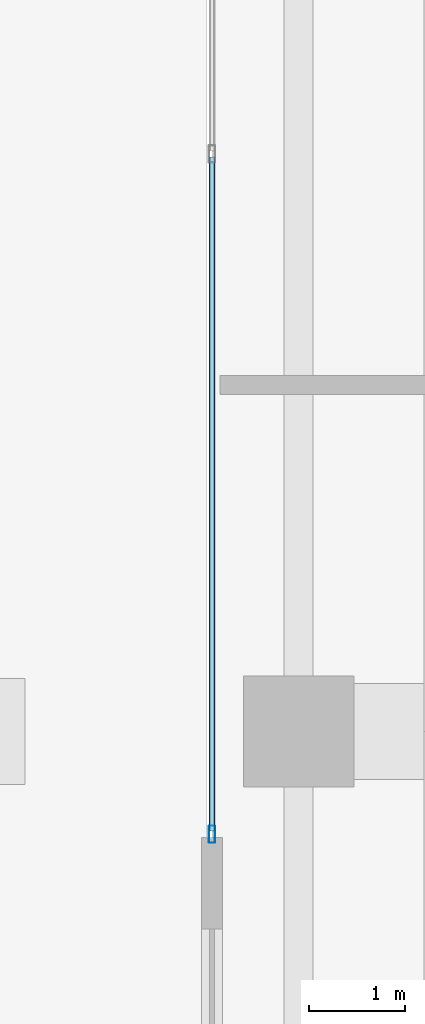
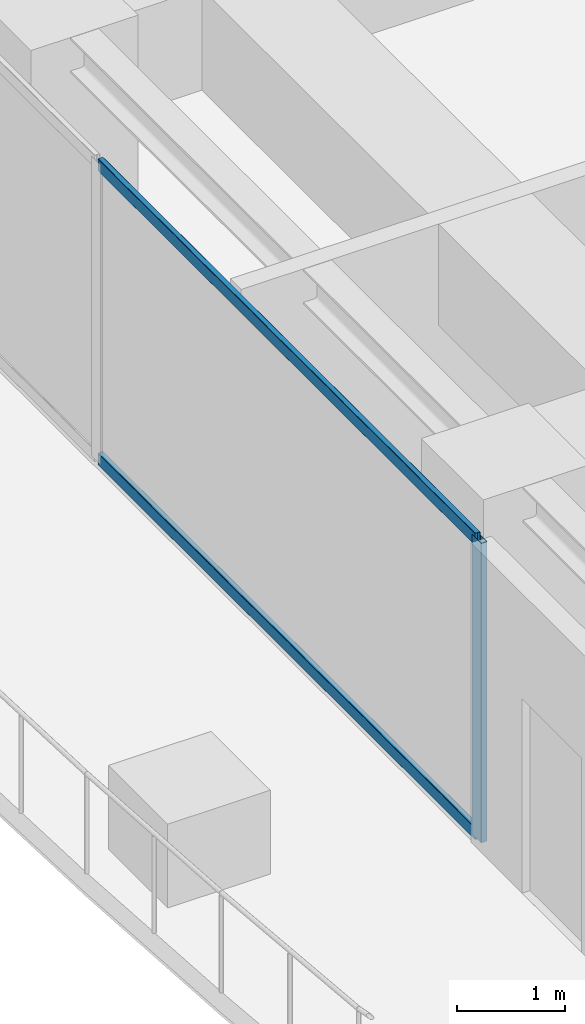
# One storey, part 9 of 39: 3 members, 1 element without a shape of its own.
"""IFC4 building model written with IfcOpenShell, lengths in metres."""

from ifc_helpers import new_model, si_unit, direction, frame, origin, origin_2d, place, context, subcontext, project, spatial, hollow_rectangle, extrude, source, transform, mapped, material, layer, layer_set, material_profile, profile_set, type_object, element, aggregate, save


model = new_model("IFC4")

# Units and contexts
model_context = context("Model", 3, precision=1e-05, world=origin(), true_north=direction((0.0, 1.0)))
body_context = subcontext(model_context, "Body", "Model", "MODEL_VIEW")
ifc_project = project(units=[si_unit("LENGTHUNIT", "METRE"), si_unit("AREAUNIT", "SQUARE_METRE"), si_unit("VOLUMEUNIT", "CUBIC_METRE"), si_unit("PLANEANGLEUNIT", "RADIAN"), si_unit("MASSUNIT", "GRAM", prefix="KILO")], contexts=[model_context])

# Site, building, storey
site_placement = place(None, origin())
site = spatial("IfcSite", under=ifc_project, at=site_placement, CompositionType="ELEMENT")
building_placement = place(site_placement, origin())
building = spatial("IfcBuilding", under=site, at=building_placement, Name="Serunith Strait Residences", CompositionType="ELEMENT")
storey_placement = place(building_placement, frame((0.0, 0.0, 283.60009765625)))
storey = spatial("IfcBuildingStorey", under=building, at=storey_placement, Name="L71", CompositionType="ELEMENT", Elevation=283.60009765625)

# Curtain wall, members
ifc_material = material(Name="Pale-Champagne Anodised Aluminium", Category="aluminium")
ifc_layer = layer(ifc_material, 0.199951171875, Name="Pale-Champagne Anodised Aluminium")
ifc_layer_set = layer_set([ifc_layer], Name="Pale-Champagne Anodised Aluminium")
curtain_wall_type = type_object("IfcCurtainWallType", Name="CW-SYS4", PredefinedType="NOTDEFINED", material=ifc_layer_set)
curtain_wall_placement = place(storey_placement, origin())
curtain_wall = element("IfcCurtainWall", 1, at=curtain_wall_placement, inside=storey, type_object=curtain_wall_type, Name="L71 W Unitised Fritted Curtain Wall", PredefinedType="NOTDEFINED")
ifc_material_profile_1 = material_profile(ifc_material, hollow_rectangle(XDim=0.06005859375, YDim=0.139892578125, WallThickness=0.00341796875, InnerFilletRadius=0.00537109375, OuterFilletRadius=0.0087890625, at=origin_2d()), Name="ALU 140x60x3.5")
ifc_profile_set_1 = profile_set([ifc_material_profile_1], Name="Pale-Champagne Anodised Aluminium")
member_type_1 = type_object("IfcMemberType", Name="CW-SYS4-TRAN", PredefinedType="USERDEFINED", material=ifc_profile_set_1)
shared_shape_1 = source(origin(), body_context, "Body", "SweptSolid", [
    extrude(hollow_rectangle(XDim=0.06005859375, YDim=0.139892578125, WallThickness=0.00341796875, InnerFilletRadius=0.00537109375, OuterFilletRadius=0.0087890625, at=origin_2d()), origin(), (0.0, 0.0, 1.0), 7.00244140625),
])
member_1_placement = place(storey_placement, frame((7.39990234375, 26.967529296875, 0.02978515625), z_axis=(0.0, -1.0, 0.0), x_axis=(1.0, 0.0, 0.0)))
member_1 = element("IfcMember", 2, at=member_1_placement, type_object=member_type_1, Name="CW-4 transom 3.1", ObjectType="TRANSOM", PredefinedType="USERDEFINED", context=body_context, shape_type="MappedRepresentation", body=[
    mapped(shared_shape_1, transform((0.0, 0.0, 0.0), scale=1.0)),
])
member_2_placement = place(storey_placement, frame((7.39990234375, 26.967529296875, 3.364990234375), z_axis=(0.0, -1.0, 0.0), x_axis=(1.0, 0.0, 0.0)))
member_2 = element("IfcMember", 3, at=member_2_placement, type_object=member_type_1, Name="CW-4 transom 3.2", ObjectType="TRANSOM", PredefinedType="USERDEFINED", context=body_context, shape_type="MappedRepresentation", body=[
    mapped(shared_shape_1, transform((0.0, 0.0, 0.0), scale=1.0)),
])
ifc_material_profile_2 = material_profile(ifc_material, hollow_rectangle(XDim=0.06494140625, YDim=0.179931640625, WallThickness=0.00341796875, InnerFilletRadius=0.00537109375, OuterFilletRadius=0.0087890625, at=origin_2d()), Name="ALU 180x65x3.5")
ifc_profile_set_2 = profile_set([ifc_material_profile_2], Name="Pale-Champagne Anodised Aluminium")
member_type_2 = type_object("IfcMemberType", Name="CW-SYS4-MULL", PredefinedType="MULLION", material=ifc_profile_set_2)
shared_shape_2 = source(origin(), body_context, "Body", "SweptSolid", [
    extrude(hollow_rectangle(XDim=0.06494140625, YDim=0.179931640625, WallThickness=0.00341796875, InnerFilletRadius=0.00537109375, OuterFilletRadius=0.0087890625, at=origin_2d()), origin(), (0.0, 0.0, 1.0), 3.39501953125),
])
member_3_placement = place(storey_placement, frame((7.39990234375, 19.9326171875, 0.0), z_axis=(0.0, 0.0, 1.0), x_axis=(1.0, 0.0, 0.0)))
member_3 = element("IfcMember", 4, at=member_3_placement, type_object=member_type_2, Name="CW-4 mullion 4", PredefinedType="MULLION", context=body_context, shape_type="MappedRepresentation", body=[
    mapped(shared_shape_2, transform((0.0, 0.0, 0.0), scale=1.0)),
])
aggregate(curtain_wall, [member_3, member_1, member_2])

save(model, "model.ifc")
